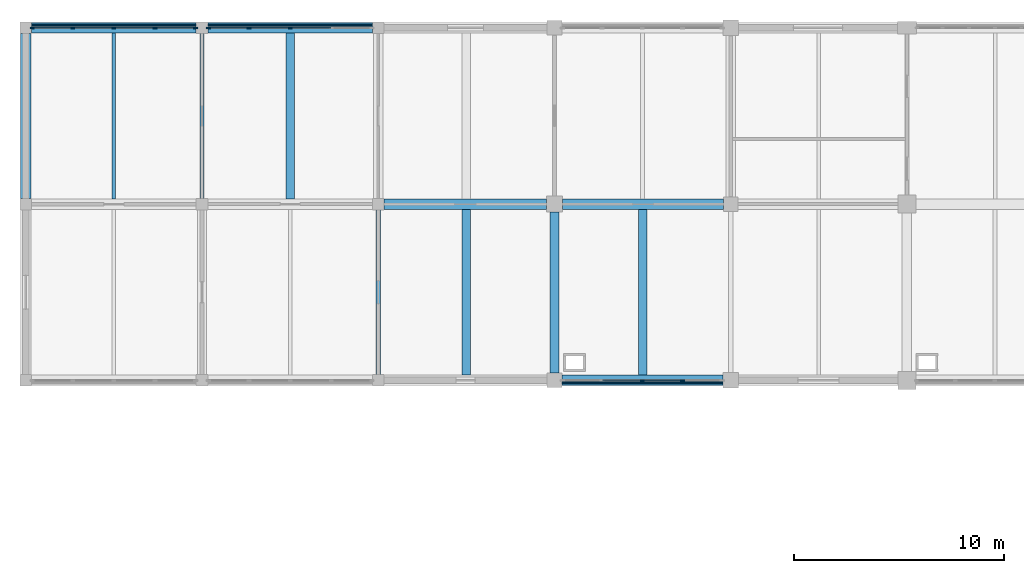
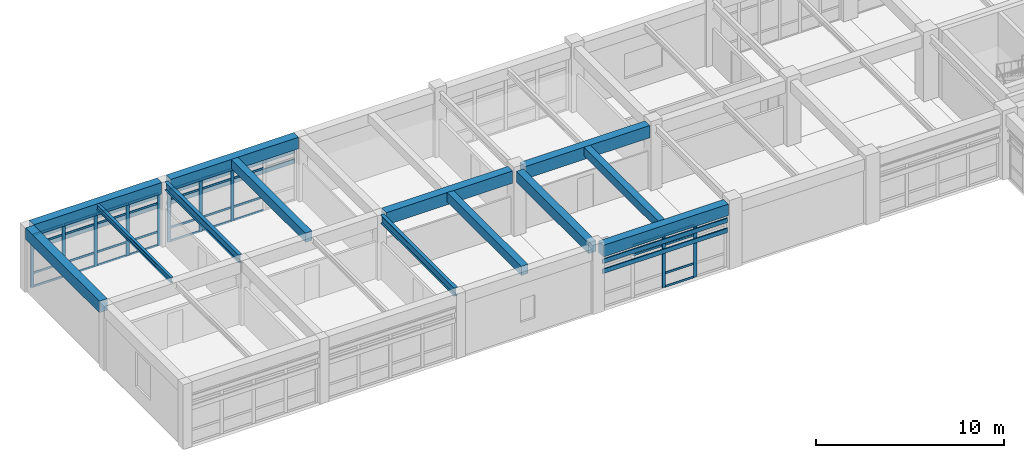
# One storey, part 27 of 99: 49 members, 13 beams, 3 elements without a shape of their own.
"""IFC4 building model written with IfcOpenShell, lengths in metres."""

from ifc_helpers import new_model, si_unit, direction, frame, origin, origin_2d, place, context, subcontext, project, spatial, rectangle, i_section, extrude, material, layer, layer_set, material_profile, profile_set, type_object, element, aggregate, save


model = new_model("IFC4")

# Units and contexts
model_context = context("Model", 3, precision=1e-05, world=origin(), true_north=direction((0.0, 1.0)))
body_context = subcontext(model_context, "Body", "Model", "MODEL_VIEW")
ifc_project = project(units=[si_unit("LENGTHUNIT", "METRE"), si_unit("AREAUNIT", "SQUARE_METRE"), si_unit("VOLUMEUNIT", "CUBIC_METRE"), si_unit("PLANEANGLEUNIT", "RADIAN"), si_unit("MASSUNIT", "GRAM", prefix="KILO")], contexts=[model_context])

# Site, building, storey
site_placement = place(None, origin())
site = spatial("IfcSite", under=ifc_project, at=site_placement, CompositionType="ELEMENT")
building_placement = place(site_placement, origin())
building = spatial("IfcBuilding", under=site, at=building_placement, Name="Porcellanite Civic Hall", CompositionType="ELEMENT")
storey_placement = place(building_placement, frame((0.0, 0.0, 5.760009765625)))
storey = spatial("IfcBuildingStorey", under=building, at=storey_placement, Name="L01", CompositionType="ELEMENT", Elevation=5.760009765625)

# Beams
ifc_material_1 = material(Name="Concrete N50 (50 MPa)", Category="concrete")
ifc_material_profile_1 = material_profile(ifc_material_1, rectangle(XDim=0.39990234375, YDim=0.550048828125, at=origin_2d()), Name="RC-400x550")
ifc_profile_set_1 = profile_set([ifc_material_profile_1], Name="Concrete N50 (50 MPa)")
beam_type_1 = type_object("IfcBeamType", Name="BM-RC550", PredefinedType="JOIST", material=ifc_profile_set_1)
beam_1_placement = place(storey_placement, frame((29.39990234375, 101.049560546875, 3.925048828125), z_axis=(0.0, 1.0, 0.0), x_axis=(-1.0, 0.0, 0.0)))
element("IfcBeam", 1, at=beam_1_placement, inside=storey, type_object=beam_type_1, Name="Secondary joist L01 4-13", PredefinedType="JOIST", context=body_context, shape_type="SweptSolid", body=[
    extrude(rectangle(XDim=0.39990234375, YDim=0.550048828125, at=origin_2d()), origin(), (0.0, 0.0, 1.0), 7.90087890625),
])
ifc_material_2 = material(Name="Concrete N50 (50 MPa)", Category="concrete")
ifc_material_profile_2 = material_profile(ifc_material_2, rectangle(XDim=0.39990234375, YDim=0.60009765625, at=origin_2d()), Name="RC-400x600")
ifc_profile_set_2 = profile_set([ifc_material_profile_2], Name="Concrete N50 (50 MPa)")
beam_type_2 = type_object("IfcBeamType", Name="BM-RC600", PredefinedType="JOIST", material=ifc_profile_set_2)
beam_2_placement = place(storey_placement, frame((12.60009765625, 109.449462890625, 3.89990234375), z_axis=(0.0, 1.0, 0.0), x_axis=(-1.0, 0.0, 0.0)))
element("IfcBeam", 2, at=beam_2_placement, inside=storey, type_object=beam_type_2, Name="Secondary joist L01 2-14", PredefinedType="JOIST", context=body_context, shape_type="SweptSolid", body=[
    extrude(rectangle(XDim=0.39990234375, YDim=0.60009765625, at=origin_2d()), origin(), (0.0, 0.0, 1.0), 7.901123046875),
])
beam_3_placement = place(storey_placement, frame((21.0, 101.049560546875, 3.89990234375), z_axis=(0.0, 1.0, 0.0), x_axis=(-1.0, 0.0, 0.0)))
element("IfcBeam", 3, at=beam_3_placement, inside=storey, type_object=beam_type_2, Name="Secondary joist L01 3-13", PredefinedType="JOIST", context=body_context, shape_type="SweptSolid", body=[
    extrude(rectangle(XDim=0.39990234375, YDim=0.60009765625, at=origin_2d()), origin(), (0.0, 0.0, 1.0), 7.90087890625),
])
ifc_material_3 = material(Name="Concrete N50 (50 MPa)", Category="concrete")
ifc_material_profile_3 = material_profile(ifc_material_3, rectangle(XDim=0.449951171875, YDim=0.699951171875, at=origin_2d()), Name="RC-450x700")
ifc_profile_set_3 = profile_set([ifc_material_profile_3], Name="Concrete N50 (50 MPa)")
beam_type_3 = type_object("IfcBeamType", Name="BM-RC700", PredefinedType="BEAM", material=ifc_profile_set_3)
beam_4_placement = place(storey_placement, frame((25.199951171875, 101.1494140625, 3.85009765625), z_axis=(0.0, 1.0, 0.0), x_axis=(-1.0, 0.0, 0.0)))
element("IfcBeam", 4, at=beam_4_placement, inside=storey, type_object=beam_type_3, Name="Beam Y L01 4-13", PredefinedType="BEAM", context=body_context, shape_type="SweptSolid", body=[
    extrude(rectangle(XDim=0.449951171875, YDim=0.699951171875, at=origin_2d()), origin(), (0.0, 0.0, 1.0), 7.676025390625),
])
ifc_material_4 = material(Name="Concrete N50 (50 MPa)", Category="concrete")
ifc_material_profile_4 = material_profile(ifc_material_4, rectangle(XDim=0.5, YDim=0.75, at=origin_2d()), Name="RC-500x750")
ifc_profile_set_4 = profile_set([ifc_material_profile_4], Name="Concrete N50 (50 MPa)")
beam_type_4 = type_object("IfcBeamType", Name="BM-RC750", PredefinedType="SPANDREL", material=ifc_profile_set_4)
beam_5_placement = place(storey_placement, frame((0.2744140625, 117.60009765625, 3.824951171875), z_axis=(1.0, 0.0, 0.0), x_axis=(0.0, 1.0, 0.0)))
element("IfcBeam", 5, at=beam_5_placement, inside=storey, type_object=beam_type_4, Name="Beam X L01 1-15", PredefinedType="SPANDREL", context=body_context, shape_type="SweptSolid", body=[
    extrude(rectangle(XDim=0.5, YDim=0.75, at=origin_2d()), origin(), (0.0, 0.0, 1.0), 7.85107421875),
])
beam_6_placement = place(storey_placement, frame((8.674560546875, 117.60009765625, 3.824951171875), z_axis=(1.0, 0.0, 0.0), x_axis=(0.0, 1.0, 0.0)))
element("IfcBeam", 6, at=beam_6_placement, inside=storey, type_object=beam_type_4, Name="Beam X L01 2-15", PredefinedType="SPANDREL", context=body_context, shape_type="SweptSolid", body=[
    extrude(rectangle(XDim=0.5, YDim=0.75, at=origin_2d()), origin(), (0.0, 0.0, 1.0), 7.850830078125),
])
beam_7_placement = place(storey_placement, frame((25.549560546875, 100.800048828125, 3.824951171875), z_axis=(1.0, 0.0, 0.0), x_axis=(0.0, 1.0, 0.0)))
element("IfcBeam", 7, at=beam_7_placement, inside=storey, type_object=beam_type_4, Name="Beam X L01 4-13", PredefinedType="SPANDREL", context=body_context, shape_type="SweptSolid", body=[
    extrude(rectangle(XDim=0.5, YDim=0.75, at=origin_2d()), origin(), (0.0, 0.0, 1.0), 7.676025390625),
])
beam_8_placement = place(storey_placement, frame((0.0, 109.474609375, 3.824951171875), z_axis=(0.0, 1.0, 0.0), x_axis=(-1.0, 0.0, 0.0)))
element("IfcBeam", 8, at=beam_8_placement, inside=storey, type_object=beam_type_4, Name="Beam Y L01 1-14", PredefinedType="SPANDREL", context=body_context, shape_type="SweptSolid", body=[
    extrude(rectangle(XDim=0.5, YDim=0.75, at=origin_2d()), origin(), (0.0, 0.0, 1.0), 7.850830078125),
])
ifc_material_5 = material(Name="Concrete N50 (50 MPa)", Category="concrete")
ifc_material_profile_5 = material_profile(ifc_material_5, rectangle(XDim=0.5, YDim=0.800048828125, at=origin_2d()), Name="RC-500x800")
ifc_profile_set_5 = profile_set([ifc_material_profile_5], Name="Concrete N50 (50 MPa)")
beam_type_5 = type_object("IfcBeamType", Name="BM-RC800", PredefinedType="BEAM", material=ifc_profile_set_5)
beam_9_placement = place(storey_placement, frame((17.074462890625, 109.199951171875, 3.800048828125), z_axis=(1.0, 0.0, 0.0), x_axis=(0.0, 1.0, 0.0)))
element("IfcBeam", 9, at=beam_9_placement, inside=storey, type_object=beam_type_5, Name="Beam X L01 3-14", PredefinedType="BEAM", context=body_context, shape_type="SweptSolid", body=[
    extrude(rectangle(XDim=0.5, YDim=0.800048828125, at=origin_2d()), origin(), (0.0, 0.0, 1.0), 7.7509765625),
])
beam_10_placement = place(storey_placement, frame((25.574462890625, 109.199951171875, 3.800048828125), z_axis=(1.0, 0.0, 0.0), x_axis=(0.0, 1.0, 0.0)))
element("IfcBeam", 10, at=beam_10_placement, inside=storey, type_object=beam_type_5, Name="Beam X L01 4-14", PredefinedType="BEAM", context=body_context, shape_type="SweptSolid", body=[
    extrude(rectangle(XDim=0.5, YDim=0.800048828125, at=origin_2d()), origin(), (0.0, 0.0, 1.0), 7.676025390625),
])

# Curtain wall, members
ifc_material_6 = material(Name="Anodised aluminium and solar laminated glass", Category="aluminium")
ifc_layer = layer(ifc_material_6, 0.179931640625)
ifc_layer_set = layer_set([ifc_layer], Name="Anodised aluminium and solar laminated glass")
curtain_wall_type = type_object("IfcCurtainWallType", Name="CW-SYS05", PredefinedType="NOTDEFINED", material=ifc_layer_set)
curtain_wall_1_placement = place(storey_placement, origin())
curtain_wall_1 = element("IfcCurtainWall", 11, at=curtain_wall_1_placement, inside=storey, type_object=curtain_wall_type, Name="Curtain wall CW-065", PredefinedType="NOTDEFINED")
ifc_material_7 = material(Name="Anodised aluminium 6063-T6", Category="aluminium")
ifc_material_profile_6 = material_profile(ifc_material_7, rectangle(XDim=0.070068359375, YDim=0.199951171875, at=origin_2d()), Name="AL-70x200")
ifc_profile_set_6 = profile_set([ifc_material_profile_6], Name="Anodised aluminium 6063-T6")
member_type_1 = type_object("IfcMemberType", Name="CWM-05", PredefinedType="MULLION", material=ifc_profile_set_6)
member_1_placement = place(storey_placement, frame((0.31103515625, 117.60009765625, 0.0), z_axis=(0.0, 0.0, 1.0), x_axis=(0.0, 1.0, 0.0)))
member_1 = element("IfcMember", 12, at=member_1_placement, type_object=member_type_1, Name="CW-065 mullion 1", PredefinedType="MULLION", context=body_context, shape_type="SweptSolid", body=[
    extrude(rectangle(XDim=0.070068359375, YDim=0.199951171875, at=origin_2d()), origin(), (0.0, 0.0, 1.0), 3.39990234375),
])
member_2_placement = place(storey_placement, frame((2.238037109375, 117.60009765625, 0.0), z_axis=(0.0, 0.0, 1.0), x_axis=(0.0, 1.0, 0.0)))
member_2 = element("IfcMember", 13, at=member_2_placement, type_object=member_type_1, Name="CW-065 mullion 2", PredefinedType="MULLION", context=body_context, shape_type="SweptSolid", body=[
    extrude(rectangle(XDim=0.070068359375, YDim=0.199951171875, at=origin_2d()), origin(), (0.0, 0.0, 1.0), 3.39990234375),
])
member_3_placement = place(storey_placement, frame((4.199951171875, 117.60009765625, 0.0), z_axis=(0.0, 0.0, 1.0), x_axis=(0.0, 1.0, 0.0)))
member_3 = element("IfcMember", 14, at=member_3_placement, type_object=member_type_1, Name="CW-065 mullion 3", PredefinedType="MULLION", context=body_context, shape_type="SweptSolid", body=[
    extrude(rectangle(XDim=0.070068359375, YDim=0.199951171875, at=origin_2d()), origin(), (0.0, 0.0, 1.0), 3.39990234375),
])
member_4_placement = place(storey_placement, frame((6.162109375, 117.60009765625, 0.0), z_axis=(0.0, 0.0, 1.0), x_axis=(0.0, 1.0, 0.0)))
member_4 = element("IfcMember", 15, at=member_4_placement, type_object=member_type_1, Name="CW-065 mullion 4", PredefinedType="MULLION", context=body_context, shape_type="SweptSolid", body=[
    extrude(rectangle(XDim=0.070068359375, YDim=0.199951171875, at=origin_2d()), origin(), (0.0, 0.0, 1.0), 3.39990234375),
])
member_5_placement = place(storey_placement, frame((8.089111328125, 117.60009765625, 0.0), z_axis=(0.0, 0.0, 1.0), x_axis=(0.0, 1.0, 0.0)))
member_5 = element("IfcMember", 16, at=member_5_placement, type_object=member_type_1, Name="CW-065 mullion 5", PredefinedType="MULLION", context=body_context, shape_type="SweptSolid", body=[
    extrude(rectangle(XDim=0.070068359375, YDim=0.199951171875, at=origin_2d()), origin(), (0.0, 0.0, 1.0), 3.39990234375),
])

curtain_wall_2_placement = place(storey_placement, origin())
curtain_wall_2 = element("IfcCurtainWall", 17, at=curtain_wall_2_placement, inside=storey, type_object=curtain_wall_type, Name="Curtain wall CW-068", PredefinedType="NOTDEFINED")
member_6_placement = place(storey_placement, frame((8.7109375, 117.60009765625, 0.0), z_axis=(0.0, 0.0, 1.0), x_axis=(0.0, 1.0, 0.0)))
member_6 = element("IfcMember", 18, at=member_6_placement, type_object=member_type_1, Name="CW-068 mullion 1", PredefinedType="MULLION", context=body_context, shape_type="SweptSolid", body=[
    extrude(rectangle(XDim=0.070068359375, YDim=0.199951171875, at=origin_2d()), origin(), (0.0, 0.0, 1.0), 3.39990234375),
])
member_7_placement = place(storey_placement, frame((10.637939453125, 117.60009765625, 0.0), z_axis=(0.0, 0.0, 1.0), x_axis=(0.0, 1.0, 0.0)))
member_7 = element("IfcMember", 19, at=member_7_placement, type_object=member_type_1, Name="CW-068 mullion 2", PredefinedType="MULLION", context=body_context, shape_type="SweptSolid", body=[
    extrude(rectangle(XDim=0.070068359375, YDim=0.199951171875, at=origin_2d()), origin(), (0.0, 0.0, 1.0), 3.39990234375),
])
member_8_placement = place(storey_placement, frame((12.60009765625, 117.60009765625, 0.0), z_axis=(0.0, 0.0, 1.0), x_axis=(0.0, 1.0, 0.0)))
member_8 = element("IfcMember", 20, at=member_8_placement, type_object=member_type_1, Name="CW-068 mullion 3", PredefinedType="MULLION", context=body_context, shape_type="SweptSolid", body=[
    extrude(rectangle(XDim=0.070068359375, YDim=0.199951171875, at=origin_2d()), origin(), (0.0, 0.0, 1.0), 3.39990234375),
])

curtain_wall_3_placement = place(storey_placement, origin())
curtain_wall_3 = element("IfcCurtainWall", 21, at=curtain_wall_3_placement, inside=storey, type_object=curtain_wall_type, Name="Curtain wall CW-072", PredefinedType="NOTDEFINED")
member_9_placement = place(storey_placement, frame((31.3056640625, 100.800048828125, 0.0), z_axis=(0.0, 0.0, 1.0), x_axis=(0.0, -1.0, 0.0)))
member_9 = element("IfcMember", 22, at=member_9_placement, type_object=member_type_1, Name="CW-072 mullion 2", PredefinedType="MULLION", context=body_context, shape_type="SweptSolid", body=[
    extrude(rectangle(XDim=0.070068359375, YDim=0.199951171875, at=origin_2d()), origin(), (0.0, 0.0, 1.0), 3.39990234375),
])
member_10_placement = place(storey_placement, frame((29.387451171875, 100.800048828125, 0.0), z_axis=(0.0, 0.0, 1.0), x_axis=(0.0, -1.0, 0.0)))
member_10 = element("IfcMember", 23, at=member_10_placement, type_object=member_type_1, Name="CW-072 mullion 3", PredefinedType="MULLION", context=body_context, shape_type="SweptSolid", body=[
    extrude(rectangle(XDim=0.070068359375, YDim=0.199951171875, at=origin_2d()), origin(), (0.0, 0.0, 1.0), 3.39990234375),
])

# Member
ifc_material_8 = material(Name="Anodised aluminium 6063-T6", Category="aluminium")
ifc_material_profile_7 = material_profile(ifc_material_8, rectangle(XDim=0.06005859375, YDim=0.1298828125, at=origin_2d()), Name="AL-60x130")
ifc_profile_set_7 = profile_set([ifc_material_profile_7], Name="Anodised aluminium 6063-T6")
member_type_2 = type_object("IfcMemberType", Name="CWT-03", PredefinedType="USERDEFINED", material=ifc_profile_set_7)
member_11_placement = place(storey_placement, frame((0.345947265625, 117.60009765625, 0.030029296875), z_axis=(1.0, 0.0, 0.0), x_axis=(0.0, 1.0, 0.0)))
member_11 = element("IfcMember", 24, at=member_11_placement, type_object=member_type_2, Name="CW-065 transom 1.1", ObjectType="TRANSOM", PredefinedType="USERDEFINED", context=body_context, shape_type="SweptSolid", body=[
    extrude(rectangle(XDim=0.06005859375, YDim=0.1298828125, at=origin_2d()), origin(), (0.0, 0.0, 1.0), 1.85693359375),
])

member_12_placement = place(storey_placement, frame((0.345947265625, 117.60009765625, 0.89990234375), z_axis=(1.0, 0.0, 0.0), x_axis=(0.0, 1.0, 0.0)))
member_12 = element("IfcMember", 25, at=member_12_placement, type_object=member_type_2, Name="CW-065 transom 1.2", ObjectType="TRANSOM", PredefinedType="USERDEFINED", context=body_context, shape_type="SweptSolid", body=[
    extrude(rectangle(XDim=0.06005859375, YDim=0.1298828125, at=origin_2d()), origin(), (0.0, 0.0, 1.0), 1.85693359375),
])

member_13_placement = place(storey_placement, frame((0.345947265625, 117.60009765625, 2.75), z_axis=(1.0, 0.0, 0.0), x_axis=(0.0, 1.0, 0.0)))
member_13 = element("IfcMember", 26, at=member_13_placement, type_object=member_type_2, Name="CW-065 transom 1.3", ObjectType="TRANSOM", PredefinedType="USERDEFINED", context=body_context, shape_type="SweptSolid", body=[
    extrude(rectangle(XDim=0.06005859375, YDim=0.1298828125, at=origin_2d()), origin(), (0.0, 0.0, 1.0), 1.85693359375),
])

member_14_placement = place(storey_placement, frame((0.345947265625, 117.60009765625, 3.369873046875), z_axis=(1.0, 0.0, 0.0), x_axis=(0.0, 1.0, 0.0)))
member_14 = element("IfcMember", 27, at=member_14_placement, type_object=member_type_2, Name="CW-065 transom 1.4", ObjectType="TRANSOM", PredefinedType="USERDEFINED", context=body_context, shape_type="SweptSolid", body=[
    extrude(rectangle(XDim=0.06005859375, YDim=0.1298828125, at=origin_2d()), origin(), (0.0, 0.0, 1.0), 1.85693359375),
])

member_15_placement = place(storey_placement, frame((2.27294921875, 117.60009765625, 0.030029296875), z_axis=(1.0, 0.0, 0.0), x_axis=(0.0, 1.0, 0.0)))
member_15 = element("IfcMember", 28, at=member_15_placement, type_object=member_type_2, Name="CW-065 transom 2.1", ObjectType="TRANSOM", PredefinedType="USERDEFINED", context=body_context, shape_type="SweptSolid", body=[
    extrude(rectangle(XDim=0.06005859375, YDim=0.1298828125, at=origin_2d()), origin(), (0.0, 0.0, 1.0), 1.89208984375),
])

member_16_placement = place(storey_placement, frame((2.27294921875, 117.60009765625, 0.89990234375), z_axis=(1.0, 0.0, 0.0), x_axis=(0.0, 1.0, 0.0)))
member_16 = element("IfcMember", 29, at=member_16_placement, type_object=member_type_2, Name="CW-065 transom 2.2", ObjectType="TRANSOM", PredefinedType="USERDEFINED", context=body_context, shape_type="SweptSolid", body=[
    extrude(rectangle(XDim=0.06005859375, YDim=0.1298828125, at=origin_2d()), origin(), (0.0, 0.0, 1.0), 1.89208984375),
])

member_17_placement = place(storey_placement, frame((2.27294921875, 117.60009765625, 2.75), z_axis=(1.0, 0.0, 0.0), x_axis=(0.0, 1.0, 0.0)))
member_17 = element("IfcMember", 30, at=member_17_placement, type_object=member_type_2, Name="CW-065 transom 2.3", ObjectType="TRANSOM", PredefinedType="USERDEFINED", context=body_context, shape_type="SweptSolid", body=[
    extrude(rectangle(XDim=0.06005859375, YDim=0.1298828125, at=origin_2d()), origin(), (0.0, 0.0, 1.0), 1.89208984375),
])

member_18_placement = place(storey_placement, frame((2.27294921875, 117.60009765625, 3.369873046875), z_axis=(1.0, 0.0, 0.0), x_axis=(0.0, 1.0, 0.0)))
member_18 = element("IfcMember", 31, at=member_18_placement, type_object=member_type_2, Name="CW-065 transom 2.4", ObjectType="TRANSOM", PredefinedType="USERDEFINED", context=body_context, shape_type="SweptSolid", body=[
    extrude(rectangle(XDim=0.06005859375, YDim=0.1298828125, at=origin_2d()), origin(), (0.0, 0.0, 1.0), 1.89208984375),
])

member_19_placement = place(storey_placement, frame((4.235107421875, 117.60009765625, 0.030029296875), z_axis=(1.0, 0.0, 0.0), x_axis=(0.0, 1.0, 0.0)))
member_19 = element("IfcMember", 32, at=member_19_placement, type_object=member_type_2, Name="CW-065 transom 3.1", ObjectType="TRANSOM", PredefinedType="USERDEFINED", context=body_context, shape_type="SweptSolid", body=[
    extrude(rectangle(XDim=0.06005859375, YDim=0.1298828125, at=origin_2d()), origin(), (0.0, 0.0, 1.0), 1.891845703125),
])

member_20_placement = place(storey_placement, frame((4.235107421875, 117.60009765625, 0.89990234375), z_axis=(1.0, 0.0, 0.0), x_axis=(0.0, 1.0, 0.0)))
member_20 = element("IfcMember", 33, at=member_20_placement, type_object=member_type_2, Name="CW-065 transom 3.2", ObjectType="TRANSOM", PredefinedType="USERDEFINED", context=body_context, shape_type="SweptSolid", body=[
    extrude(rectangle(XDim=0.06005859375, YDim=0.1298828125, at=origin_2d()), origin(), (0.0, 0.0, 1.0), 1.891845703125),
])

member_21_placement = place(storey_placement, frame((4.235107421875, 117.60009765625, 2.75), z_axis=(1.0, 0.0, 0.0), x_axis=(0.0, 1.0, 0.0)))
member_21 = element("IfcMember", 34, at=member_21_placement, type_object=member_type_2, Name="CW-065 transom 3.3", ObjectType="TRANSOM", PredefinedType="USERDEFINED", context=body_context, shape_type="SweptSolid", body=[
    extrude(rectangle(XDim=0.06005859375, YDim=0.1298828125, at=origin_2d()), origin(), (0.0, 0.0, 1.0), 1.891845703125),
])

member_22_placement = place(storey_placement, frame((4.235107421875, 117.60009765625, 3.369873046875), z_axis=(1.0, 0.0, 0.0), x_axis=(0.0, 1.0, 0.0)))
member_22 = element("IfcMember", 35, at=member_22_placement, type_object=member_type_2, Name="CW-065 transom 3.4", ObjectType="TRANSOM", PredefinedType="USERDEFINED", context=body_context, shape_type="SweptSolid", body=[
    extrude(rectangle(XDim=0.06005859375, YDim=0.1298828125, at=origin_2d()), origin(), (0.0, 0.0, 1.0), 1.891845703125),
])

member_23_placement = place(storey_placement, frame((6.197021484375, 117.60009765625, 0.030029296875), z_axis=(1.0, 0.0, 0.0), x_axis=(0.0, 1.0, 0.0)))
member_23 = element("IfcMember", 36, at=member_23_placement, type_object=member_type_2, Name="CW-065 transom 4.1", ObjectType="TRANSOM", PredefinedType="USERDEFINED", context=body_context, shape_type="SweptSolid", body=[
    extrude(rectangle(XDim=0.06005859375, YDim=0.1298828125, at=origin_2d()), origin(), (0.0, 0.0, 1.0), 1.85693359375),
])

member_24_placement = place(storey_placement, frame((6.197021484375, 117.60009765625, 0.89990234375), z_axis=(1.0, 0.0, 0.0), x_axis=(0.0, 1.0, 0.0)))
member_24 = element("IfcMember", 37, at=member_24_placement, type_object=member_type_2, Name="CW-065 transom 4.2", ObjectType="TRANSOM", PredefinedType="USERDEFINED", context=body_context, shape_type="SweptSolid", body=[
    extrude(rectangle(XDim=0.06005859375, YDim=0.1298828125, at=origin_2d()), origin(), (0.0, 0.0, 1.0), 1.85693359375),
])

member_25_placement = place(storey_placement, frame((6.197021484375, 117.60009765625, 2.75), z_axis=(1.0, 0.0, 0.0), x_axis=(0.0, 1.0, 0.0)))
member_25 = element("IfcMember", 38, at=member_25_placement, type_object=member_type_2, Name="CW-065 transom 4.3", ObjectType="TRANSOM", PredefinedType="USERDEFINED", context=body_context, shape_type="SweptSolid", body=[
    extrude(rectangle(XDim=0.06005859375, YDim=0.1298828125, at=origin_2d()), origin(), (0.0, 0.0, 1.0), 1.85693359375),
])

member_26_placement = place(storey_placement, frame((6.197021484375, 117.60009765625, 3.369873046875), z_axis=(1.0, 0.0, 0.0), x_axis=(0.0, 1.0, 0.0)))
member_26 = element("IfcMember", 39, at=member_26_placement, type_object=member_type_2, Name="CW-065 transom 4.4", ObjectType="TRANSOM", PredefinedType="USERDEFINED", context=body_context, shape_type="SweptSolid", body=[
    extrude(rectangle(XDim=0.06005859375, YDim=0.1298828125, at=origin_2d()), origin(), (0.0, 0.0, 1.0), 1.85693359375),
])

aggregate(curtain_wall_1, [member_1, member_2, member_3, member_4, member_5, member_11, member_12, member_13, member_14, member_15, member_16, member_17, member_18, member_19, member_20, member_21, member_22, member_23, member_24, member_25, member_26])

member_27_placement = place(storey_placement, frame((8.74609375, 117.60009765625, 0.030029296875), z_axis=(1.0, 0.0, 0.0), x_axis=(0.0, 1.0, 0.0)))
member_27 = element("IfcMember", 40, at=member_27_placement, type_object=member_type_2, Name="CW-068 transom 1.1", ObjectType="TRANSOM", PredefinedType="USERDEFINED", context=body_context, shape_type="SweptSolid", body=[
    extrude(rectangle(XDim=0.06005859375, YDim=0.1298828125, at=origin_2d()), origin(), (0.0, 0.0, 1.0), 1.85693359375),
])

member_28_placement = place(storey_placement, frame((8.74609375, 117.60009765625, 0.89990234375), z_axis=(1.0, 0.0, 0.0), x_axis=(0.0, 1.0, 0.0)))
member_28 = element("IfcMember", 41, at=member_28_placement, type_object=member_type_2, Name="CW-068 transom 1.2", ObjectType="TRANSOM", PredefinedType="USERDEFINED", context=body_context, shape_type="SweptSolid", body=[
    extrude(rectangle(XDim=0.06005859375, YDim=0.1298828125, at=origin_2d()), origin(), (0.0, 0.0, 1.0), 1.85693359375),
])

member_29_placement = place(storey_placement, frame((8.74609375, 117.60009765625, 2.75), z_axis=(1.0, 0.0, 0.0), x_axis=(0.0, 1.0, 0.0)))
member_29 = element("IfcMember", 42, at=member_29_placement, type_object=member_type_2, Name="CW-068 transom 1.3", ObjectType="TRANSOM", PredefinedType="USERDEFINED", context=body_context, shape_type="SweptSolid", body=[
    extrude(rectangle(XDim=0.06005859375, YDim=0.1298828125, at=origin_2d()), origin(), (0.0, 0.0, 1.0), 1.85693359375),
])

member_30_placement = place(storey_placement, frame((8.74609375, 117.60009765625, 3.369873046875), z_axis=(1.0, 0.0, 0.0), x_axis=(0.0, 1.0, 0.0)))
member_30 = element("IfcMember", 43, at=member_30_placement, type_object=member_type_2, Name="CW-068 transom 1.4", ObjectType="TRANSOM", PredefinedType="USERDEFINED", context=body_context, shape_type="SweptSolid", body=[
    extrude(rectangle(XDim=0.06005859375, YDim=0.1298828125, at=origin_2d()), origin(), (0.0, 0.0, 1.0), 1.85693359375),
])

member_31_placement = place(storey_placement, frame((10.673095703125, 117.60009765625, 0.030029296875), z_axis=(1.0, 0.0, 0.0), x_axis=(0.0, 1.0, 0.0)))
member_31 = element("IfcMember", 44, at=member_31_placement, type_object=member_type_2, Name="CW-068 transom 2.1", ObjectType="TRANSOM", PredefinedType="USERDEFINED", context=body_context, shape_type="SweptSolid", body=[
    extrude(rectangle(XDim=0.06005859375, YDim=0.1298828125, at=origin_2d()), origin(), (0.0, 0.0, 1.0), 1.891845703125),
])

member_32_placement = place(storey_placement, frame((10.673095703125, 117.60009765625, 0.89990234375), z_axis=(1.0, 0.0, 0.0), x_axis=(0.0, 1.0, 0.0)))
member_32 = element("IfcMember", 45, at=member_32_placement, type_object=member_type_2, Name="CW-068 transom 2.2", ObjectType="TRANSOM", PredefinedType="USERDEFINED", context=body_context, shape_type="SweptSolid", body=[
    extrude(rectangle(XDim=0.06005859375, YDim=0.1298828125, at=origin_2d()), origin(), (0.0, 0.0, 1.0), 1.891845703125),
])

member_33_placement = place(storey_placement, frame((10.673095703125, 117.60009765625, 2.75), z_axis=(1.0, 0.0, 0.0), x_axis=(0.0, 1.0, 0.0)))
member_33 = element("IfcMember", 46, at=member_33_placement, type_object=member_type_2, Name="CW-068 transom 2.3", ObjectType="TRANSOM", PredefinedType="USERDEFINED", context=body_context, shape_type="SweptSolid", body=[
    extrude(rectangle(XDim=0.06005859375, YDim=0.1298828125, at=origin_2d()), origin(), (0.0, 0.0, 1.0), 1.891845703125),
])

member_34_placement = place(storey_placement, frame((10.673095703125, 117.60009765625, 3.369873046875), z_axis=(1.0, 0.0, 0.0), x_axis=(0.0, 1.0, 0.0)))
member_34 = element("IfcMember", 47, at=member_34_placement, type_object=member_type_2, Name="CW-068 transom 2.4", ObjectType="TRANSOM", PredefinedType="USERDEFINED", context=body_context, shape_type="SweptSolid", body=[
    extrude(rectangle(XDim=0.06005859375, YDim=0.1298828125, at=origin_2d()), origin(), (0.0, 0.0, 1.0), 1.891845703125),
])

member_35_placement = place(storey_placement, frame((12.635009765625, 117.60009765625, 0.030029296875), z_axis=(1.0, 0.0, 0.0), x_axis=(0.0, 1.0, 0.0)))
member_35 = element("IfcMember", 48, at=member_35_placement, type_object=member_type_2, Name="CW-068 transom 3.1", ObjectType="TRANSOM", PredefinedType="USERDEFINED", context=body_context, shape_type="SweptSolid", body=[
    extrude(rectangle(XDim=0.06005859375, YDim=0.1298828125, at=origin_2d()), origin(), (0.0, 0.0, 1.0), 1.89208984375),
])

member_36_placement = place(storey_placement, frame((12.635009765625, 117.60009765625, 0.89990234375), z_axis=(1.0, 0.0, 0.0), x_axis=(0.0, 1.0, 0.0)))
member_36 = element("IfcMember", 49, at=member_36_placement, type_object=member_type_2, Name="CW-068 transom 3.2", ObjectType="TRANSOM", PredefinedType="USERDEFINED", context=body_context, shape_type="SweptSolid", body=[
    extrude(rectangle(XDim=0.06005859375, YDim=0.1298828125, at=origin_2d()), origin(), (0.0, 0.0, 1.0), 1.89208984375),
])

member_37_placement = place(storey_placement, frame((12.635009765625, 117.60009765625, 2.75), z_axis=(1.0, 0.0, 0.0), x_axis=(0.0, 1.0, 0.0)))
member_37 = element("IfcMember", 50, at=member_37_placement, type_object=member_type_2, Name="CW-068 transom 3.3", ObjectType="TRANSOM", PredefinedType="USERDEFINED", context=body_context, shape_type="SweptSolid", body=[
    extrude(rectangle(XDim=0.06005859375, YDim=0.1298828125, at=origin_2d()), origin(), (0.0, 0.0, 1.0), 1.89208984375),
])

aggregate(curtain_wall_2, [member_6, member_7, member_8, member_27, member_28, member_29, member_30, member_31, member_32, member_33, member_34, member_35, member_36, member_37])

member_38_placement = place(storey_placement, frame((31.270751953125, 100.800048828125, 0.030029296875), z_axis=(-1.0, 0.0, 0.0), x_axis=(0.0, -1.0, 0.0)))
member_38 = element("IfcMember", 51, at=member_38_placement, type_object=member_type_2, Name="CW-072 transom 2.1", ObjectType="TRANSOM", PredefinedType="USERDEFINED", context=body_context, shape_type="SweptSolid", body=[
    extrude(rectangle(XDim=0.06005859375, YDim=0.1298828125, at=origin_2d()), origin(), (0.0, 0.0, 1.0), 1.84814453125),
])

member_39_placement = place(storey_placement, frame((31.270751953125, 100.800048828125, 0.89990234375), z_axis=(-1.0, 0.0, 0.0), x_axis=(0.0, -1.0, 0.0)))
member_39 = element("IfcMember", 52, at=member_39_placement, type_object=member_type_2, Name="CW-072 transom 2.2", ObjectType="TRANSOM", PredefinedType="USERDEFINED", context=body_context, shape_type="SweptSolid", body=[
    extrude(rectangle(XDim=0.06005859375, YDim=0.1298828125, at=origin_2d()), origin(), (0.0, 0.0, 1.0), 1.84814453125),
])

member_40_placement = place(storey_placement, frame((31.270751953125, 100.800048828125, 2.75), z_axis=(-1.0, 0.0, 0.0), x_axis=(0.0, -1.0, 0.0)))
member_40 = element("IfcMember", 53, at=member_40_placement, type_object=member_type_2, Name="CW-072 transom 2.3", ObjectType="TRANSOM", PredefinedType="USERDEFINED", context=body_context, shape_type="SweptSolid", body=[
    extrude(rectangle(XDim=0.06005859375, YDim=0.1298828125, at=origin_2d()), origin(), (0.0, 0.0, 1.0), 1.84814453125),
])

member_41_placement = place(storey_placement, frame((31.270751953125, 100.800048828125, 3.369873046875), z_axis=(-1.0, 0.0, 0.0), x_axis=(0.0, -1.0, 0.0)))
member_41 = element("IfcMember", 54, at=member_41_placement, type_object=member_type_2, Name="CW-072 transom 2.4", ObjectType="TRANSOM", PredefinedType="USERDEFINED", context=body_context, shape_type="SweptSolid", body=[
    extrude(rectangle(XDim=0.06005859375, YDim=0.1298828125, at=origin_2d()), origin(), (0.0, 0.0, 1.0), 1.84814453125),
])

member_42_placement = place(storey_placement, frame((29.3525390625, 100.800048828125, 2.75), z_axis=(-1.0, 0.0, 0.0), x_axis=(0.0, -1.0, 0.0)))
member_42 = element("IfcMember", 55, at=member_42_placement, type_object=member_type_2, Name="CW-072 transom 3.3", ObjectType="TRANSOM", PredefinedType="USERDEFINED", context=body_context, shape_type="SweptSolid", body=[
    extrude(rectangle(XDim=0.06005859375, YDim=0.1298828125, at=origin_2d()), origin(), (0.0, 0.0, 1.0), 1.848388671875),
])

member_43_placement = place(storey_placement, frame((29.3525390625, 100.800048828125, 3.369873046875), z_axis=(-1.0, 0.0, 0.0), x_axis=(0.0, -1.0, 0.0)))
member_43 = element("IfcMember", 56, at=member_43_placement, type_object=member_type_2, Name="CW-072 transom 3.4", ObjectType="TRANSOM", PredefinedType="USERDEFINED", context=body_context, shape_type="SweptSolid", body=[
    extrude(rectangle(XDim=0.06005859375, YDim=0.1298828125, at=origin_2d()), origin(), (0.0, 0.0, 1.0), 1.848388671875),
])

aggregate(curtain_wall_3, [member_9, member_10, member_38, member_39, member_40, member_41, member_42, member_43])

# Beam
ifc_material_9 = material(Name="Steel Grade 350", Category="steel")
ifc_material_profile_8 = material_profile(ifc_material_9, i_section(OverallWidth=0.1708984375, OverallDepth=0.35595703125, WebThickness=0.00732421875, FlangeThickness=0.011474609375, FilletRadius=0.011474609375, at=origin_2d()), Name="360UB50.7")
ifc_profile_set_8 = profile_set([ifc_material_profile_8], Name="Steel Grade 350")
beam_type_6 = type_object("IfcBeamType", Name="JST-360UB51", PredefinedType="JOIST", material=ifc_profile_set_8)
beam_11_placement = place(storey_placement, frame((4.199951171875, 109.449462890625, 4.02197265625), z_axis=(0.0, 1.0, 0.0), x_axis=(-1.0, 0.0, 0.0)))
element("IfcBeam", 57, at=beam_11_placement, inside=storey, type_object=beam_type_6, Name="Secondary joist L01 1-14", PredefinedType="JOIST", context=body_context, shape_type="SweptSolid", body=[
    extrude(i_section(OverallWidth=0.1708984375, OverallDepth=0.35595703125, WebThickness=0.00732421875, FlangeThickness=0.011474609375, FilletRadius=0.011474609375, at=origin_2d()), origin(), (0.0, 0.0, 1.0), 7.901123046875),
])

# Members
ifc_material_10 = material(Name="Fluoropolymer bauxite-red aluminium 6063-T6", Category="aluminium")
ifc_material_profile_9 = material_profile(ifc_material_10, rectangle(XDim=0.070068359375, YDim=0.280029296875, at=origin_2d()), Name="AL-70x280")
ifc_profile_set_9 = profile_set([ifc_material_profile_9], Name="Fluoropolymer bauxite-red aluminium 6063-T6")
member_type_3 = type_object("IfcMemberType", Name="LV-BLD05", PredefinedType="USERDEFINED", material=ifc_profile_set_9)
for number, where, z_axis, x_axis, name in (
    (58, (0.2744140625, 117.737060546875, 3.10009765625), (1.0, 0.0, 0.0), (0.0, 1.0, 0.0), "Cyclone sunshade louvre L01 N 0-13 1"),
    (59, (0.2744140625, 117.737060546875, 2.449951171875), (1.0, 0.0, 0.0), (0.0, 1.0, 0.0), "Cyclone sunshade louvre L01 N 0-13 2"),
):
    element("IfcMember", number, at=place(storey_placement, frame(where, z_axis=z_axis, x_axis=x_axis)), inside=storey, type_object=member_type_3, Name=name, ObjectType="LOUVRE BLADE", PredefinedType="USERDEFINED", context=body_context, shape_type="SweptSolid", body=[
        extrude(rectangle(XDim=0.070068359375, YDim=0.280029296875, at=origin_2d()), origin(), (0.0, 0.0, 1.0), 7.85107421875),
    ])
for number, where, z_axis, x_axis, name in (
    (60, (8.674560546875, 117.737060546875, 3.10009765625), (1.0, 0.0, 0.0), (0.0, 1.0, 0.0), "Cyclone sunshade louvre L01 N 1-13 1"),
    (61, (8.674560546875, 117.737060546875, 2.449951171875), (1.0, 0.0, 0.0), (0.0, 1.0, 0.0), "Cyclone sunshade louvre L01 N 1-13 2"),
):
    element("IfcMember", number, at=place(storey_placement, frame(where, z_axis=z_axis, x_axis=x_axis)), inside=storey, type_object=member_type_3, Name=name, ObjectType="LOUVRE BLADE", PredefinedType="USERDEFINED", context=body_context, shape_type="SweptSolid", body=[
        extrude(rectangle(XDim=0.070068359375, YDim=0.280029296875, at=origin_2d()), origin(), (0.0, 0.0, 1.0), 7.850830078125),
    ])
for number, where, z_axis, x_axis, name in (
    (62, (33.2255859375, 100.6630859375, 3.10009765625), (-1.0, 0.0, 0.0), (0.0, -1.0, 0.0), "Cyclone sunshade louvre L01 S 3-12 1"),
    (63, (33.2255859375, 100.6630859375, 2.449951171875), (-1.0, 0.0, 0.0), (0.0, -1.0, 0.0), "Cyclone sunshade louvre L01 S 3-12 2"),
):
    element("IfcMember", number, at=place(storey_placement, frame(where, z_axis=z_axis, x_axis=x_axis)), inside=storey, type_object=member_type_3, Name=name, ObjectType="LOUVRE BLADE", PredefinedType="USERDEFINED", context=body_context, shape_type="SweptSolid", body=[
        extrude(rectangle(XDim=0.070068359375, YDim=0.280029296875, at=origin_2d()), origin(), (0.0, 0.0, 1.0), 7.676025390625),
    ])

# Beams
ifc_material_11 = material(Name="Steel Grade 350", Category="steel")
ifc_material_profile_10 = material_profile(ifc_material_11, i_section(OverallWidth=0.208984375, OverallDepth=0.528076171875, WebThickness=0.009521484375, FlangeThickness=0.01318359375, FilletRadius=0.013916015625, at=origin_2d()), Name="530UB82.0")
ifc_profile_set_10 = profile_set([ifc_material_profile_10], Name="Steel Grade 350")
beam_type_7 = type_object("IfcBeamType", Name="RAF-530UB82", PredefinedType="BEAM", material=ifc_profile_set_10)
beam_12_placement = place(storey_placement, frame((8.39990234375, 109.474609375, 3.93603515625), z_axis=(0.0, 1.0, 0.0), x_axis=(-1.0, 0.0, 0.0)))
element("IfcBeam", 64, at=beam_12_placement, inside=storey, type_object=beam_type_7, Name="Beam Y L01 2-14", PredefinedType="BEAM", context=body_context, shape_type="SweptSolid", body=[
    extrude(i_section(OverallWidth=0.208984375, OverallDepth=0.528076171875, WebThickness=0.009521484375, FlangeThickness=0.01318359375, FilletRadius=0.013916015625, at=origin_2d()), origin(), (0.0, 0.0, 1.0), 7.850830078125),
])
beam_13_placement = place(storey_placement, frame((16.800048828125, 101.074462890625, 3.93603515625), z_axis=(0.0, 1.0, 0.0), x_axis=(-1.0, 0.0, 0.0)))
element("IfcBeam", 65, at=beam_13_placement, inside=storey, type_object=beam_type_7, Name="Beam Y L01 3-13", PredefinedType="BEAM", context=body_context, shape_type="SweptSolid", body=[
    extrude(i_section(OverallWidth=0.208984375, OverallDepth=0.528076171875, WebThickness=0.009521484375, FlangeThickness=0.01318359375, FilletRadius=0.013916015625, at=origin_2d()), origin(), (0.0, 0.0, 1.0), 7.85107421875),
])

save(model, "model.ifc")
